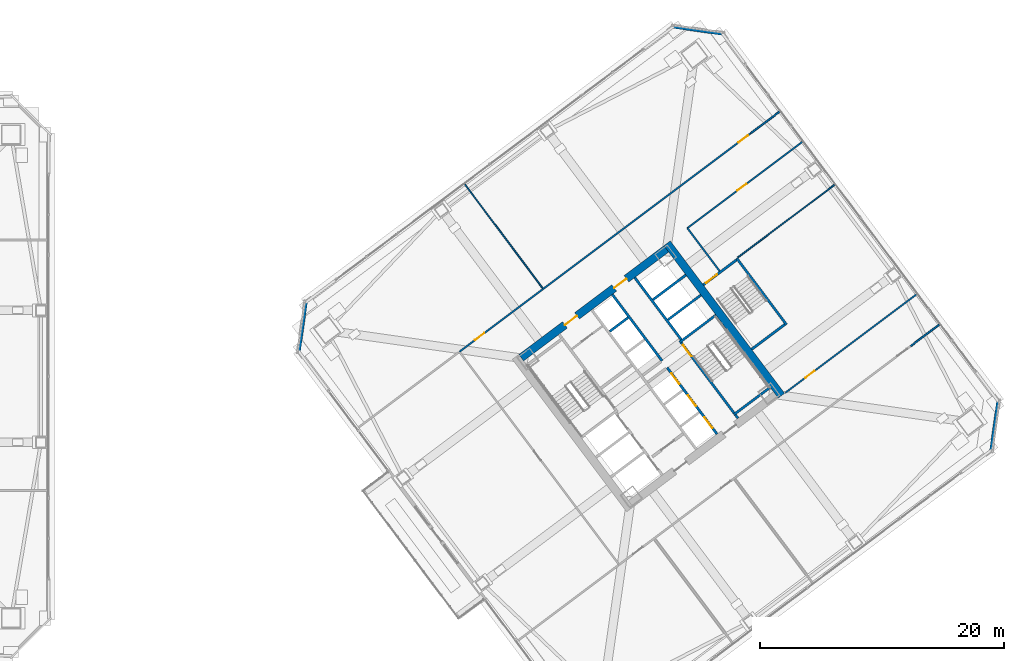
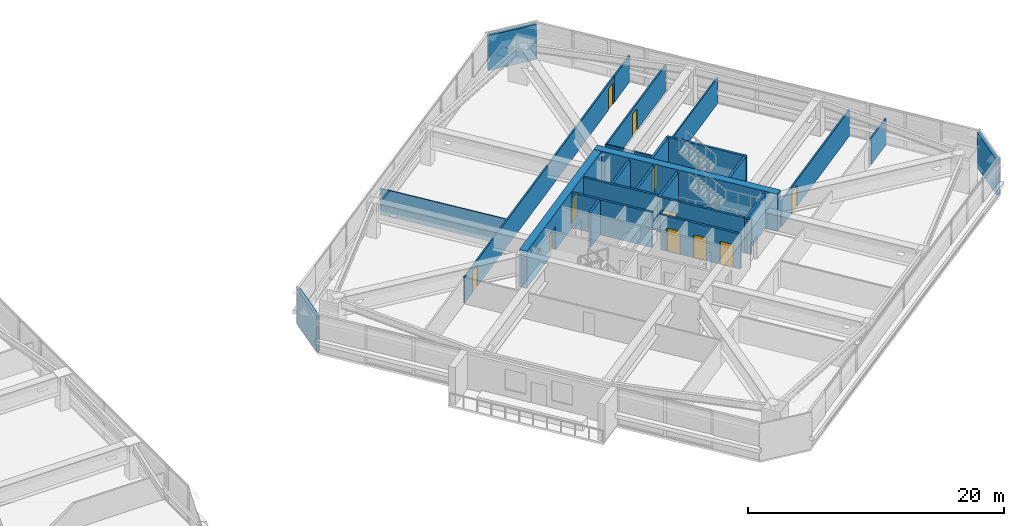
# One storey, part 41 of 48: 25 walls, 11 doors, 11 openings.
"""IFC4 building model written with IfcOpenShell, lengths in metres."""

from ifc_helpers import new_model, si_unit, direction, frame, frame_2d, origin, place, context, subcontext, project, spatial, rectangle, extrude, material, layer, layer_set, type_object, element, fill, save


model = new_model("IFC4")

# Units and contexts
model_context = context("Model", 3, precision=1e-05, world=origin(), true_north=direction((0.0, 1.0)))
body_context = subcontext(model_context, "Body", "Model", "MODEL_VIEW")
ifc_project = project(units=[si_unit("LENGTHUNIT", "METRE"), si_unit("AREAUNIT", "SQUARE_METRE"), si_unit("VOLUMEUNIT", "CUBIC_METRE"), si_unit("PLANEANGLEUNIT", "RADIAN"), si_unit("MASSUNIT", "GRAM", prefix="KILO")], contexts=[model_context])

# Site, building, storey
site_placement = place(None, origin())
site = spatial("IfcSite", under=ifc_project, at=site_placement, CompositionType="ELEMENT")
building_placement = place(site_placement, origin())
building = spatial("IfcBuilding", under=site, at=building_placement, Name="Tashvorn Skyway Center", CompositionType="ELEMENT")
storey_placement = place(building_placement, frame((0.0, 0.0, 63.64990234375)))
storey = spatial("IfcBuildingStorey", under=building, at=storey_placement, Name="L16", CompositionType="ELEMENT", Elevation=63.64990234375)

# Wall
ifc_material_1 = material(Name="Concrete C60/75", Category="concrete")
ifc_layer_1 = layer(ifc_material_1, 0.64990234375)
ifc_layer_set_1 = layer_set([ifc_layer_1], Name="Concrete C60/75")
wall_type_1 = type_object("IfcWallType", Name="WALL-CORE-650", PredefinedType="SHEAR", material=ifc_layer_set_1)
wall_1_placement = place(storey_placement, frame((115.52392578125, 42.89306640625, 0.0), z_axis=(0.0, 0.0, 1.0), x_axis=(0.600005007985, -0.799996243986, 0.0)))
element("IfcWall", 1, at=wall_1_placement, inside=storey, type_object=wall_type_1, Name="Tower 2 L16 East Core Shear Wall", PredefinedType="SHEAR", context=body_context, shape_type="SweptSolid", body=[
    extrude(rectangle(XDim=15.60009765625, YDim=0.64990234375, at=frame_2d((7.800048828125, 0.0))), origin(), (0.0, 0.0, 1.0), 3.550048828125),
])

# Wall, openings, doors
wall_2_placement = place(storey_placement, frame((103.571044921875, 33.52197265625, 0.0), z_axis=(0.0, 0.0, 1.0), x_axis=(0.799998028465, 0.600002628705, 0.0)))
wall_2 = element("IfcWall", 2, at=wall_2_placement, inside=storey, type_object=wall_type_1, Name="Tower 2 L16 North Core Shear Wall", PredefinedType="SHEAR", context=body_context, shape_type="SweptSolid", body=[
    extrude(rectangle(XDim=14.85986328125, YDim=0.64990234375, at=frame_2d((7.429931640625, 0.0))), origin(), (0.0, 0.0, 1.0), 3.550048828125),
])
opening_1_placement = place(wall_2_placement, frame((4.47998046875, 0.0, 0.0)))
opening_1 = element("IfcOpeningElement", 3, at=opening_1_placement, cuts=wall_2, Name="Opening D-FFL-1250", PredefinedType="OPENING", context=body_context, shape_type="SweptSolid", body=[
    extrude(rectangle(XDim=1.25, YDim=2.25, at=frame_2d((0.625, 1.125))), frame((0.0, 0.3349609375, 0.0), z_axis=(0.0, -1.0, 0.0), x_axis=(1.0, 0.0, 0.0)), (0.0, 0.0, 1.0), 0.669921875),
])
opening_2_placement = place(wall_2_placement, frame((9.530029296875, 0.0, 0.0)))
opening_2 = element("IfcOpeningElement", 4, at=opening_2_placement, cuts=wall_2, Name="Opening D-FFL-1250", PredefinedType="OPENING", context=body_context, shape_type="SweptSolid", body=[
    extrude(rectangle(XDim=1.25, YDim=2.25, at=frame_2d((0.625, 1.125))), frame((0.0, 0.3349609375, 0.0), z_axis=(0.0, -1.0, 0.0), x_axis=(1.0, 0.0, 0.0)), (0.0, 0.0, 1.0), 0.669921875),
])
ifc_material_2 = material(Name="Hollow galvanized steel fire door assembly", Category="steel")
door_type_1 = type_object("IfcDoorType", Name="DOOR-FFL-1250", OperationType="NOTDEFINED", PredefinedType="DOOR", material=ifc_material_2)
door_1_placement = place(opening_1_placement, origin())
door_1 = element("IfcDoor", 5, at=door_1_placement, inside=storey, type_object=door_type_1, Name="Tower 2 L16 Core North Service Lobby Door", OperationType="SINGLE_SWING_LEFT", OverallHeight=2.25, OverallWidth=1.25, PredefinedType="DOOR", context=body_context, shape_type="SweptSolid", body=[
    extrude(rectangle(XDim=1.25, YDim=2.25, at=frame_2d((0.625, 1.125))), frame((0.0, 0.02490234375, 0.0), z_axis=(0.0, -1.0, 0.0), x_axis=(1.0, 0.0, 0.0)), (0.0, 0.0, 1.0), 0.050048828125),
])
fill(opening_1, door_1)
door_2_placement = place(opening_2_placement, origin())
door_2 = element("IfcDoor", 6, at=door_2_placement, inside=storey, type_object=door_type_1, Name="Tower 2 L16 Core North Lift Lobby Door", OperationType="SINGLE_SWING_RIGHT", OverallHeight=2.25, OverallWidth=1.25, PredefinedType="DOOR", context=body_context, shape_type="SweptSolid", body=[
    extrude(rectangle(XDim=1.25, YDim=2.25, at=frame_2d((0.625, 1.125))), frame((0.0, 0.02490234375, 0.0), z_axis=(0.0, -1.0, 0.0), x_axis=(1.0, 0.0, 0.0)), (0.0, 0.0, 1.0), 0.050048828125),
])
fill(opening_2, door_2)

# Walls
ifc_material_3 = material(Name="Precast concrete C40/50", Category="concrete")
ifc_layer_2 = layer(ifc_material_3, 0.280029296875)
ifc_layer_set_2 = layer_set([ifc_layer_2], Name="Precast concrete C40/50")
wall_type_2 = type_object("IfcWallType", Name="WALL-EXT-280", PredefinedType="SOLIDWALL", material=ifc_layer_set_2)
for number, where, z_axis, x_axis, name in (
    (7, (85.360107421875, 34.02001953125, 0.0), (0.0, 0.0, 1.0), (0.14137968631, 0.989955445613, 0.0), "Tower 2 L16 NW Precast Chamfer Wall"),
    (8, (116.02001953125, 60.639892578125, 0.0), (0.0, 0.0, 1.0), (0.989955445613, -0.14137968631, 0.0), "Tower 2 L16 NE Precast Chamfer Wall"),
    (9, (142.639892578125, 29.97998046875, 0.0), (0.0, 0.0, 1.0), (-0.14137968631, -0.989955445613, 0.0), "Tower 2 L16 SE Precast Chamfer Wall"),
):
    element("IfcWall", number, at=place(storey_placement, frame(where, z_axis=z_axis, x_axis=x_axis)), inside=storey, type_object=wall_type_2, Name=name, PredefinedType="SOLIDWALL", context=body_context, shape_type="SweptSolid", body=[
        extrude(rectangle(XDim=4.101318359375, YDim=0.280029296875, at=frame_2d((2.05078125, 0.0))), origin(), (0.0, 0.0, 1.0), 3.35009765625),
    ])
ifc_material_4 = material(Name="Gypsum board on cold-formed steel stud framing", Category="steel")
ifc_layer_3 = layer(ifc_material_4, 0.110107421875)
ifc_layer_set_3 = layer_set([ifc_layer_3], Name="Gypsum board on cold-formed steel stud framing")
wall_type_3 = type_object("IfcWallType", Name="WALL-PART-110", PredefinedType="PARTITIONING", material=ifc_layer_set_3)
wall_3_placement = place(storey_placement, frame((105.33203125, 39.22412109375, 0.0), z_axis=(0.0, 0.0, 1.0), x_axis=(-0.600003650761, 0.799997261916, 0.0)))
element("IfcWall", 10, at=wall_3_placement, inside=storey, type_object=wall_type_3, Name="Tower 2 L16 North Suite Partition 1", PredefinedType="PARTITIONING", context=body_context, shape_type="SweptSolid", body=[
    extrude(rectangle(XDim=10.69970703125, YDim=0.110107421875, at=frame_2d((5.349853515625, 0.0))), origin(), (0.0, 0.0, 1.0), 2.4931640625),
])
wall_4_placement = place(storey_placement, frame((129.303955078125, 47.72802734375, 0.0), z_axis=(0.0, 0.0, 1.0), x_axis=(-0.8, -0.6, 0.0)))
element("IfcWall", 11, at=wall_4_placement, inside=storey, type_object=wall_type_3, Name="Tower 2 L16 East Suite Partition 1", PredefinedType="PARTITIONING", context=body_context, shape_type="SweptSolid", body=[
    extrude(rectangle(XDim=10.0, YDim=0.110107421875, at=frame_2d((5.0, 0.0))), origin(), (0.0, 0.0, 1.0), 2.4931640625),
])
ifc_layer_4 = layer(ifc_material_4, 0.135009765625)
ifc_layer_set_4 = layer_set([ifc_layer_4], Name="Gypsum board on cold-formed steel stud framing")
wall_type_4 = type_object("IfcWallType", Name="WALL-PART-135", PredefinedType="PARTITIONING", material=ifc_layer_set_4)
wall_5_placement = place(storey_placement, frame((119.823974609375, 40.617919921875, 0.0), z_axis=(0.0, 0.0, 1.0), x_axis=(-0.599982243973, 0.800013316712, 0.0)))
element("IfcWall", 12, at=wall_5_placement, inside=storey, type_object=wall_type_4, Name="Tower 2 L16 Stair 3 Access Corridor Wall", PredefinedType="PARTITIONING", context=body_context, shape_type="SweptSolid", body=[
    extrude(rectangle(XDim=4.39990234375, YDim=0.135009765625, at=frame_2d((2.199951171875, 0.0))), origin(), (0.0, 0.0, 1.0), 2.4931640625),
])

# Wall, openings, doors
wall_6_placement = place(storey_placement, frame((98.51611328125, 34.011962890625, 0.0), z_axis=(0.0, 0.0, 1.0), x_axis=(0.799998035726, 0.600002619023, 0.0)))
wall_6 = element("IfcWall", 13, at=wall_6_placement, inside=storey, type_object=wall_type_4, Name="Tower 2 L16 North Suite Wall", PredefinedType="PARTITIONING", context=body_context, shape_type="SweptSolid", body=[
    extrude(rectangle(XDim=29.829833984375, YDim=0.135009765625, at=frame_2d((14.9150390625, 0.0))), origin(), (0.0, 0.0, 1.0), 2.4931640625),
])
opening_3_placement = place(wall_6_placement, frame((1.5869140625, 0.0, 0.0)))
opening_3 = element("IfcOpeningElement", 14, at=opening_3_placement, cuts=wall_6, Name="Opening D-INT-950", PredefinedType="OPENING", context=body_context, shape_type="SweptSolid", body=[
    extrude(rectangle(XDim=0.949951171875, YDim=2.050048828125, at=frame_2d((0.47509765625, 1.02490234375))), frame((0.0, 0.077392578125, 0.0), z_axis=(0.0, -1.0, 0.0), x_axis=(1.0, 0.0, 0.0)), (0.0, 0.0, 1.0), 0.155029296875),
])
opening_4_placement = place(wall_6_placement, frame((28.580078125, 0.0, 0.0)))
opening_4 = element("IfcOpeningElement", 15, at=opening_4_placement, cuts=wall_6, Name="Opening D-INT-950", PredefinedType="OPENING", context=body_context, shape_type="SweptSolid", body=[
    extrude(rectangle(XDim=0.949951171875, YDim=2.050048828125, at=frame_2d((0.47509765625, 1.02490234375))), frame((0.0, 0.077392578125, 0.0), z_axis=(0.0, -1.0, 0.0), x_axis=(1.0, 0.0, 0.0)), (0.0, 0.0, 1.0), 0.155029296875),
])
ifc_material_5 = material(Name="Solid-core architectural oak veneer door")
door_type_2 = type_object("IfcDoorType", Name="DOOR-INT-950", OperationType="NOTDEFINED", PredefinedType="DOOR", material=ifc_material_5)
door_3_placement = place(opening_3_placement, origin())
door_3 = element("IfcDoor", 16, at=door_3_placement, inside=storey, type_object=door_type_2, Name="Tower 2 L16 Open Plan Office Door", OperationType="SINGLE_SWING_RIGHT", OverallHeight=2.050048828125, OverallWidth=0.949951171875, PredefinedType="DOOR", context=body_context, shape_type="SweptSolid", body=[
    extrude(rectangle(XDim=0.949951171875, YDim=2.050048828125, at=frame_2d((0.47509765625, 1.02490234375))), frame((0.0, 0.02490234375, 0.0), z_axis=(0.0, -1.0, 0.0), x_axis=(1.0, 0.0, 0.0)), (0.0, 0.0, 1.0), 0.050048828125),
])
fill(opening_3, door_3)
door_4_placement = place(opening_4_placement, origin())
door_4 = element("IfcDoor", 17, at=door_4_placement, inside=storey, type_object=door_type_2, Name="Tower 2 L16 Open Plan Office Door", OperationType="SINGLE_SWING_LEFT", OverallHeight=2.050048828125, OverallWidth=0.949951171875, PredefinedType="DOOR", context=body_context, shape_type="SweptSolid", body=[
    extrude(rectangle(XDim=0.949951171875, YDim=2.050048828125, at=frame_2d((0.47509765625, 1.02490234375))), frame((0.0, 0.02490234375, 0.0), z_axis=(0.0, -1.0, 0.0), x_axis=(1.0, 0.0, 0.0)), (0.0, 0.0, 1.0), 0.050048828125),
])
fill(opening_4, door_4)

# Walls
for number, where, z_axis, x_axis, name in (
    (18, (122.3798828125, 51.909912109375, 0.0), (0.0, 0.0, 1.0), (0.799990331366, 0.600012891296, 0.0), "Tower 2 L16 North-East Suite South Wall"),
    (19, (135.4599609375, 34.469970703125, 0.0), (0.0, 0.0, 1.0), (0.799990331366, 0.600012891296, 0.0), "Tower 2 L16 South-East Suite North Wall"),
):
    element("IfcWall", number, at=place(storey_placement, frame(where, z_axis=z_axis, x_axis=x_axis)), inside=storey, type_object=wall_type_4, Name=name, PredefinedType="PARTITIONING", context=body_context, shape_type="SweptSolid", body=[
        extrude(rectangle(XDim=3.030029296875, YDim=0.135009765625, at=frame_2d((1.51513671875, 0.0))), origin(), (0.0, 0.0, 1.0), 2.4931640625),
    ])

# Wall, opening, door
wall_7_placement = place(storey_placement, frame((126.6640625, 51.248046875, 0.0), z_axis=(0.0, 0.0, 1.0), x_axis=(-0.799995055373, -0.600006592779, 0.0)))
wall_7 = element("IfcWall", 20, at=wall_7_placement, inside=storey, type_object=wall_type_4, Name="Tower 2 L16 East Suite North Wall", PredefinedType="PARTITIONING", context=body_context, shape_type="SweptSolid", body=[
    extrude(rectangle(XDim=11.85009765625, YDim=0.135009765625, at=frame_2d((5.925048828125, 0.0))), origin(), (0.0, 0.0, 1.0), 2.4931640625),
])
opening_5_placement = place(wall_7_placement, frame((5.800048828125, 0.0, 0.0)))
opening_5 = element("IfcOpeningElement", 21, at=opening_5_placement, cuts=wall_7, Name="Opening D-INT-950", PredefinedType="OPENING", context=body_context, shape_type="SweptSolid", body=[
    extrude(rectangle(XDim=0.949951171875, YDim=2.050048828125, at=frame_2d((0.47509765625, 1.02490234375))), frame((0.0, 0.077392578125, 0.0), z_axis=(0.0, -1.0, 0.0), x_axis=(1.0, 0.0, 0.0)), (0.0, 0.0, 1.0), 0.155029296875),
])
door_5_placement = place(opening_5_placement, origin())
door_5 = element("IfcDoor", 22, at=door_5_placement, inside=storey, type_object=door_type_2, Name="Tower 2 L16 Executive Study Lounge Door", OperationType="SINGLE_SWING_LEFT", OverallHeight=2.050048828125, OverallWidth=0.949951171875, PredefinedType="DOOR", context=body_context, shape_type="SweptSolid", body=[
    extrude(rectangle(XDim=0.949951171875, YDim=2.050048828125, at=frame_2d((0.47509765625, 1.02490234375))), frame((0.0, 0.02490234375, 0.0), z_axis=(0.0, -1.0, 0.0), x_axis=(1.0, 0.0, 0.0)), (0.0, 0.0, 1.0), 0.050048828125),
])
fill(opening_5, door_5)

wall_8_placement = place(storey_placement, frame((125.2080078125, 30.656005859375, 0.0), z_axis=(0.0, 0.0, 1.0), x_axis=(0.799995666112, 0.600005778473, 0.0)))
wall_8 = element("IfcWall", 23, at=wall_8_placement, inside=storey, type_object=wall_type_4, Name="Tower 2 L16 East Suite South Wall", PredefinedType="PARTITIONING", context=body_context, shape_type="SweptSolid", body=[
    extrude(rectangle(XDim=13.52001953125, YDim=0.135009765625, at=frame_2d((6.760009765625, 0.0))), origin(), (0.0, 0.0, 1.0), 2.4931640625),
])
opening_6_placement = place(wall_8_placement, frame((2.044921875, 0.0, 0.0)))
opening_6 = element("IfcOpeningElement", 24, at=opening_6_placement, cuts=wall_8, Name="Opening D-INT-950", PredefinedType="OPENING", context=body_context, shape_type="SweptSolid", body=[
    extrude(rectangle(XDim=0.949951171875, YDim=2.050048828125, at=frame_2d((0.47509765625, 1.02490234375))), frame((0.0, 0.077392578125, 0.0), z_axis=(0.0, -1.0, 0.0), x_axis=(1.0, 0.0, 0.0)), (0.0, 0.0, 1.0), 0.155029296875),
])
door_6_placement = place(opening_6_placement, origin())
door_6 = element("IfcDoor", 25, at=door_6_placement, inside=storey, type_object=door_type_2, Name="Tower 2 L16 Public Restroom Door", OperationType="SINGLE_SWING_RIGHT", OverallHeight=2.050048828125, OverallWidth=0.949951171875, PredefinedType="DOOR", context=body_context, shape_type="SweptSolid", body=[
    extrude(rectangle(XDim=0.949951171875, YDim=2.050048828125, at=frame_2d((0.47509765625, 1.02490234375))), frame((0.0, 0.02490234375, 0.0), z_axis=(0.0, -1.0, 0.0), x_axis=(1.0, 0.0, 0.0)), (0.0, 0.0, 1.0), 0.050048828125),
])
fill(opening_6, door_6)

# Walls
ifc_material_6 = material(Name="Concrete C40/50", Category="concrete")
ifc_layer_5 = layer(ifc_material_6, 0.199951171875)
ifc_layer_set_5 = layer_set([ifc_layer_5], Name="Concrete C40/50")
wall_type_5 = type_object("IfcWallType", Name="WALL-SHAFT-200", PredefinedType="SOLIDWALL", material=ifc_layer_set_5)
for number, where, z_axis, x_axis, name in (
    (26, (115.590087890625, 36.6298828125, 0.0), (0.0, 0.0, 1.0), (0.799973995579, 0.600034670996, 0.0), "Tower 2 L16 High-Rise Shaft Divider"),
    (27, (114.360107421875, 38.27001953125, 0.0), (0.0, 0.0, 1.0), (0.799973995579, 0.600034670996, 0.0), "Tower 2 L16 High-Rise Shaft Divider"),
):
    element("IfcWall", number, at=place(storey_placement, frame(where, z_axis=z_axis, x_axis=x_axis)), inside=storey, type_object=wall_type_5, Name=name, PredefinedType="SOLIDWALL", context=body_context, shape_type="SweptSolid", body=[
        extrude(rectangle(XDim=3.3798828125, YDim=0.199951171875, at=frame_2d((1.68994140625, 0.0))), origin(), (0.0, 0.0, 1.0), 3.35009765625),
    ])

# Wall, openings, doors
wall_9_placement = place(storey_placement, frame((119.610107421875, 27.27001953125, 0.0), z_axis=(0.0, 0.0, 1.0), x_axis=(-0.600011488909, 0.79999138319, 0.0)))
wall_9 = element("IfcWall", 28, at=wall_9_placement, inside=storey, type_object=wall_type_5, Name="Tower 2 L16 Low-Rise Core Wall", PredefinedType="SOLIDWALL", context=body_context, shape_type="SweptSolid", body=[
    extrude(rectangle(XDim=6.800048828125, YDim=0.199951171875, at=frame_2d((3.39990234375, 0.0))), origin(), (0.0, 0.0, 1.0), 3.35009765625),
])
opening_7_placement = place(wall_9_placement, frame((0.625, 0.0, 0.0)))
opening_7 = element("IfcOpeningElement", 29, at=opening_7_placement, cuts=wall_9, Name="Opening LD-LR-T2-1-L16", PredefinedType="OPENING", context=body_context, shape_type="SweptSolid", body=[
    extrude(rectangle(XDim=1.10009765625, YDim=2.199951171875, at=frame_2d((0.550048828125, 1.10009765625))), frame((0.0, 0.10986328125, 0.0), z_axis=(0.0, -1.0, 0.0), x_axis=(1.0, 0.0, 0.0)), (0.0, 0.0, 1.0), 0.219970703125),
])
opening_8_placement = place(wall_9_placement, frame((2.875, 0.0, 0.0)))
opening_8 = element("IfcOpeningElement", 30, at=opening_8_placement, cuts=wall_9, Name="Opening LD-LR-T2-2-L16", PredefinedType="OPENING", context=body_context, shape_type="SweptSolid", body=[
    extrude(rectangle(XDim=1.10009765625, YDim=2.199951171875, at=frame_2d((0.550048828125, 1.10009765625))), frame((0.0, 0.10986328125, 0.0), z_axis=(0.0, -1.0, 0.0), x_axis=(1.0, 0.0, 0.0)), (0.0, 0.0, 1.0), 0.219970703125),
])
opening_9_placement = place(wall_9_placement, frame((5.125, 0.0, 0.0)))
opening_9 = element("IfcOpeningElement", 31, at=opening_9_placement, cuts=wall_9, Name="Opening LD-LR-T2-3-L16", PredefinedType="OPENING", context=body_context, shape_type="SweptSolid", body=[
    extrude(rectangle(XDim=1.10009765625, YDim=2.199951171875, at=frame_2d((0.550048828125, 1.10009765625))), frame((0.0, 0.10986328125, 0.0), z_axis=(0.0, -1.0, 0.0), x_axis=(1.0, 0.0, 0.0)), (0.0, 0.0, 1.0), 0.219970703125),
])
ifc_material_7 = material(Name="Stainless steel landing door", Category="steel")
door_type_3 = type_object("IfcDoorType", Name="DOOR-LIFT-1100", OperationType="SLIDING_TO_LEFT", PredefinedType="DOOR", material=ifc_material_7)
door_7_placement = place(opening_7_placement, origin())
door_7 = element("IfcDoor", 32, at=door_7_placement, inside=storey, type_object=door_type_3, Name="Lift LR-T2-1 L16 Landing Door", OperationType="SLIDING_TO_LEFT", OverallHeight=2.199951171875, OverallWidth=1.10009765625, PredefinedType="DOOR", context=body_context, shape_type="SweptSolid", body=[
    extrude(rectangle(XDim=1.10009765625, YDim=2.199951171875, at=frame_2d((0.550048828125, 1.10009765625))), frame((0.0, 0.02490234375, 0.0), z_axis=(0.0, -1.0, 0.0), x_axis=(1.0, 0.0, 0.0)), (0.0, 0.0, 1.0), 0.050048828125),
])
fill(opening_7, door_7)
door_8_placement = place(opening_8_placement, origin())
door_8 = element("IfcDoor", 33, at=door_8_placement, inside=storey, type_object=door_type_3, Name="Lift LR-T2-2 L16 Landing Door", OperationType="SLIDING_TO_LEFT", OverallHeight=2.199951171875, OverallWidth=1.10009765625, PredefinedType="DOOR", context=body_context, shape_type="SweptSolid", body=[
    extrude(rectangle(XDim=1.10009765625, YDim=2.199951171875, at=frame_2d((0.550048828125, 1.10009765625))), frame((0.0, 0.02490234375, 0.0), z_axis=(0.0, -1.0, 0.0), x_axis=(1.0, 0.0, 0.0)), (0.0, 0.0, 1.0), 0.050048828125),
])
fill(opening_8, door_8)
door_9_placement = place(opening_9_placement, origin())
door_9 = element("IfcDoor", 34, at=door_9_placement, inside=storey, type_object=door_type_3, Name="Lift LR-T2-3 L16 Landing Door", OperationType="SLIDING_TO_LEFT", OverallHeight=2.199951171875, OverallWidth=1.10009765625, PredefinedType="DOOR", context=body_context, shape_type="SweptSolid", body=[
    extrude(rectangle(XDim=1.10009765625, YDim=2.199951171875, at=frame_2d((0.550048828125, 1.10009765625))), frame((0.0, 0.02490234375, 0.0), z_axis=(0.0, -1.0, 0.0), x_axis=(1.0, 0.0, 0.0)), (0.0, 0.0, 1.0), 0.050048828125),
])
fill(opening_9, door_9)

# Walls
wall_10_placement = place(storey_placement, frame((115.110107421875, 33.27001953125, 0.0), z_axis=(0.0, 0.0, 1.0), x_axis=(-0.600011488909, 0.79999138319, 0.0)))
element("IfcWall", 35, at=wall_10_placement, inside=storey, type_object=wall_type_5, Name="Tower 2 L16 Mid-Rise Core Wall", PredefinedType="SOLIDWALL", context=body_context, shape_type="SweptSolid", body=[
    extrude(rectangle(XDim=6.800048828125, YDim=0.199951171875, at=frame_2d((3.39990234375, 0.0))), origin(), (0.0, 0.0, 1.0), 3.35009765625),
])
wall_11_placement = place(storey_placement, frame((110.825927734375, 35.681884765625, 0.0), z_axis=(0.0, 0.0, 1.0), x_axis=(0.799984418148, 0.600020775241, 0.0)))
element("IfcWall", 36, at=wall_11_placement, inside=storey, type_object=wall_type_5, Name="Tower 2 L16 Mid-Rise Shaft Divider", PredefinedType="SOLIDWALL", context=body_context, shape_type="SweptSolid", body=[
    extrude(rectangle(XDim=1.880126953125, YDim=0.199951171875, at=frame_2d((0.93994140625, 0.0))), origin(), (0.0, 0.0, 1.0), 3.35009765625),
])

# Wall, opening, door
ifc_layer_6 = layer(ifc_material_6, 0.199951171875)
ifc_layer_set_6 = layer_set([ifc_layer_6], Name="Concrete C40/50")
wall_type_6 = type_object("IfcWallType", Name="WALL-STSHF-200", PredefinedType="SHEAR", material=ifc_layer_set_6)
wall_12_placement = place(storey_placement, frame((116.56005859375, 34.919921875, 0.0), z_axis=(0.0, 0.0, 1.0), x_axis=(0.600009827119, -0.799992629566, 0.0)))
wall_12 = element("IfcWall", 37, at=wall_12_placement, inside=storey, type_object=wall_type_6, Name="Tower 2 L16 Stair 2 Enclosure Wall", PredefinedType="SHEAR", context=body_context, shape_type="SweptSolid", body=[
    extrude(rectangle(XDim=7.949951171875, YDim=0.199951171875, at=frame_2d((3.97509765625, 0.0))), origin(), (0.0, 0.0, 1.0), 3.35009765625),
])
opening_10_placement = place(wall_12_placement, frame((0.449951171875, 0.0, 0.0)))
opening_10 = element("IfcOpeningElement", 38, at=opening_10_placement, cuts=wall_12, Name="Opening D-ST-1150", PredefinedType="OPENING", context=body_context, shape_type="SweptSolid", body=[
    extrude(rectangle(XDim=1.14990234375, YDim=2.199951171875, at=frame_2d((0.574951171875, 1.10009765625))), frame((0.0, 0.10986328125, 0.0), z_axis=(0.0, -1.0, 0.0), x_axis=(1.0, 0.0, 0.0)), (0.0, 0.0, 1.0), 0.219970703125),
])
door_type_4 = type_object("IfcDoorType", Name="DOOR-STAIR-1150", OperationType="NOTDEFINED", PredefinedType="DOOR", material=ifc_material_2)
door_10_placement = place(opening_10_placement, origin())
door_10 = element("IfcDoor", 39, at=door_10_placement, inside=storey, type_object=door_type_4, Name="Tower 2 L16 Exit Stair 2 Door", OperationType="SINGLE_SWING_RIGHT", OverallHeight=2.199951171875, OverallWidth=1.14990234375, PredefinedType="DOOR", context=body_context, shape_type="SweptSolid", body=[
    extrude(rectangle(XDim=1.14990234375, YDim=2.199951171875, at=frame_2d((0.574951171875, 1.10009765625))), frame((0.0, 0.02490234375, 0.0), z_axis=(0.0, -1.0, 0.0), x_axis=(1.0, 0.0, 0.0)), (0.0, 0.0, 1.0), 0.050048828125),
])
fill(opening_10, door_10)

# Walls
for number, where, z_axis, x_axis, name in (
    (40, (116.5400390625, 34.780029296875, 0.0), (0.0, 0.0, 1.0), (0.799984290658, 0.600020945218, 0.0), "Tower 2 L16 Stair 2 North Wall"),
    (41, (120.97998046875, 28.860107421875, 0.0), (0.0, 0.0, 1.0), (0.800039270442, 0.59994763584, 0.0), "Tower 2 L16 Stair 2 South Wall"),
):
    element("IfcWall", number, at=place(storey_placement, frame(where, z_axis=z_axis, x_axis=x_axis)), inside=storey, type_object=wall_type_6, Name=name, PredefinedType="SHEAR", context=body_context, shape_type="SweptSolid", body=[
        extrude(rectangle(XDim=3.72998046875, YDim=0.199951171875, at=frame_2d((1.864990234375, 0.0))), origin(), (0.0, 0.0, 1.0), 3.35009765625),
    ])
wall_13_placement = place(storey_placement, frame((112.8701171875, 40.090087890625, 0.0), z_axis=(0.0, 0.0, 1.0), x_axis=(0.599975393228, -0.800018454488, 0.0)))
element("IfcWall", 42, at=wall_13_placement, inside=storey, type_object=wall_type_6, Name="Tower 2 L16 High-Rise Lift Shaft Front Wall", PredefinedType="SHEAR", context=body_context, shape_type="SweptSolid", body=[
    extrude(rectangle(XDim=6.349853515625, YDim=0.199951171875, at=frame_2d((3.1748046875, 0.0))), origin(), (0.0, 0.0, 1.0), 3.35009765625),
])
wall_14_placement = place(storey_placement, frame((125.303955078125, 36.22802734375, 0.0), z_axis=(0.0, 0.0, 1.0), x_axis=(-0.59998851072, 0.800008616831, 0.0)))
element("IfcWall", 43, at=wall_14_placement, inside=storey, type_object=wall_type_6, Name="Tower 2 L16 Stair 3 Outer Wall", PredefinedType="SHEAR", context=body_context, shape_type="SweptSolid", body=[
    extrude(rectangle(XDim=6.7998046875, YDim=0.199951171875, at=frame_2d((3.39990234375, 0.0))), origin(), (0.0, 0.0, 1.0), 3.35009765625),
])

# Wall, opening, door
wall_15_placement = place(storey_placement, frame((121.2041015625, 41.528076171875, 0.0), z_axis=(0.0, 0.0, 1.0), x_axis=(-0.800017232136, -0.599977023131, 0.0)))
wall_15 = element("IfcWall", 44, at=wall_15_placement, inside=storey, type_object=wall_type_6, Name="Tower 2 L16 Stair 3 Enclosure Wall", PredefinedType="SHEAR", context=body_context, shape_type="SweptSolid", body=[
    extrude(rectangle(XDim=3.400146484375, YDim=0.199951171875, at=frame_2d((1.7001953125, 0.0))), origin(), (0.0, 0.0, 1.0), 3.35009765625),
])
opening_11_placement = place(wall_15_placement, frame((1.97509765625, 0.0, 0.0)))
opening_11 = element("IfcOpeningElement", 45, at=opening_11_placement, cuts=wall_15, Name="Opening D-ST-1150", PredefinedType="OPENING", context=body_context, shape_type="SweptSolid", body=[
    extrude(rectangle(XDim=1.14990234375, YDim=2.199951171875, at=frame_2d((0.574951171875, 1.10009765625))), frame((0.0, 0.10986328125, 0.0), z_axis=(0.0, -1.0, 0.0), x_axis=(1.0, 0.0, 0.0)), (0.0, 0.0, 1.0), 0.219970703125),
])
door_11_placement = place(opening_11_placement, origin())
door_11 = element("IfcDoor", 46, at=door_11_placement, inside=storey, type_object=door_type_4, Name="Tower 2 L16 Exit Stair 3 Door", OperationType="SINGLE_SWING_RIGHT", OverallHeight=2.199951171875, OverallWidth=1.14990234375, PredefinedType="DOOR", context=body_context, shape_type="SweptSolid", body=[
    extrude(rectangle(XDim=1.14990234375, YDim=2.199951171875, at=frame_2d((0.574951171875, 1.10009765625))), frame((0.0, 0.02490234375, 0.0), z_axis=(0.0, -1.0, 0.0), x_axis=(1.0, 0.0, 0.0)), (0.0, 0.0, 1.0), 0.050048828125),
])
fill(opening_11, door_11)

# Wall
wall_16_placement = place(storey_placement, frame((122.444091796875, 34.2080078125, 0.0), z_axis=(0.0, 0.0, 1.0), x_axis=(0.79999138319, 0.600011488909, 0.0)))
element("IfcWall", 47, at=wall_16_placement, inside=storey, type_object=wall_type_6, Name="Tower 2 L16 Stair 3 South Wall", PredefinedType="SHEAR", context=body_context, shape_type="SweptSolid", body=[
    extrude(rectangle(XDim=3.39990234375, YDim=0.199951171875, at=frame_2d((1.699951171875, 0.0))), origin(), (0.0, 0.0, 1.0), 3.35009765625),
])

save(model, "model.ifc")
